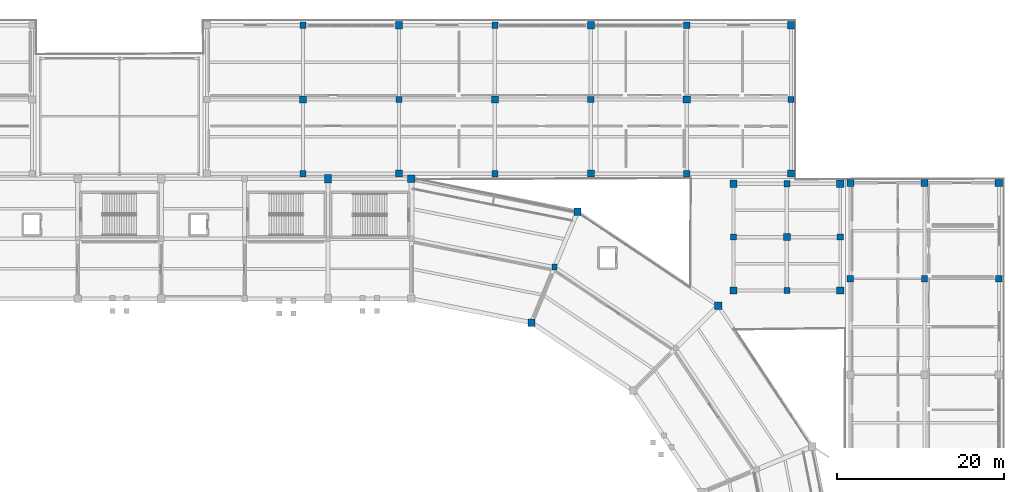
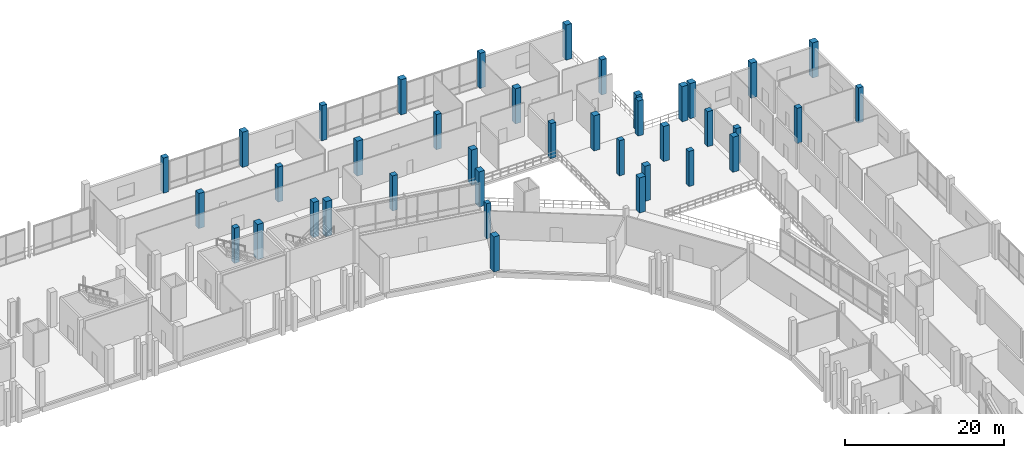
# One storey, part 10 of 114: 39 columns.
"""IFC4 building model written with IfcOpenShell, lengths in metres."""

from ifc_helpers import new_model, si_unit, direction, frame, origin, origin_2d, place, context, subcontext, project, spatial, rectangle, extrude, material, material_profile, profile_set, type_object, element, save


model = new_model("IFC4")

# Units and contexts
model_context = context("Model", 3, precision=1e-05, world=origin(), true_north=direction((0.0, 1.0)))
body_context = subcontext(model_context, "Body", "Model", "MODEL_VIEW")
ifc_project = project(units=[si_unit("LENGTHUNIT", "METRE"), si_unit("AREAUNIT", "SQUARE_METRE"), si_unit("VOLUMEUNIT", "CUBIC_METRE"), si_unit("PLANEANGLEUNIT", "RADIAN"), si_unit("MASSUNIT", "GRAM", prefix="KILO")], contexts=[model_context])

# Site, building, storey
site_placement = place(None, origin())
site = spatial("IfcSite", under=ifc_project, at=site_placement, CompositionType="ELEMENT")
building_placement = place(site_placement, origin())
building = spatial("IfcBuilding", under=site, at=building_placement, Name="Candeia Ridge Stadium", CompositionType="ELEMENT")
storey_placement = place(building_placement, frame((0.0, 0.0, 5.39990234375)))
storey = spatial("IfcBuildingStorey", under=building, at=storey_placement, Name="L01", CompositionType="ELEMENT", Elevation=5.39990234375)

# Columns
ifc_material_1 = material(Name="Concrete C45/55", Category="concrete")
ifc_material_profile_1 = material_profile(ifc_material_1, rectangle(XDim=0.89990234375, YDim=0.89990234375, at=origin_2d()), Name="RC900x900", Category="concrete")
ifc_profile_set_1 = profile_set([ifc_material_profile_1], Name="Concrete C45/55")
column_type_1 = type_object("IfcColumnType", Name="Bowl Spine Column RC900x900", PredefinedType="COLUMN", material=ifc_profile_set_1)
for number, where, z_axis, x_axis, name in (
    (1, (141.0, 147.0, 0.0), (0.0, 0.0, 1.0), (1.0, 0.0, 0.0), "Structural column BC-OU-00 L01"),
    (2, (177.76953125, 131.76953125, 0.0), (0.0, 0.0, 1.0), (1.0, 0.0, 0.0), "Structural column BC-OU-34 L01"),
):
    element("IfcColumn", number, at=place(storey_placement, frame(where, z_axis=z_axis, x_axis=x_axis)), inside=storey, type_object=column_type_1, Name=name, PredefinedType="COLUMN", context=body_context, shape_type="SweptSolid", body=[
        extrude(rectangle(XDim=0.89990234375, YDim=0.89990234375, at=origin_2d()), origin(), (0.0, 0.0, 1.0), 5.400146484375),
    ])
ifc_material_2 = material(Name="Concrete C40/50", Category="concrete")
ifc_material_profile_2 = material_profile(ifc_material_2, rectangle(XDim=0.6201171875, YDim=0.719970703125, at=origin_2d()), Name="RC620x720", Category="concrete")
ifc_profile_set_2 = profile_set([ifc_material_profile_2], Name="Concrete C40/50")
column_type_2 = type_object("IfcColumnType", Name="Graduated Frame Column RC620x720", PredefinedType="COLUMN", material=ifc_profile_set_2)
column_1_placement = place(storey_placement, frame((158.144287109375, 136.389892578125, 0.0), z_axis=(0.0, 0.0, 1.0), x_axis=(1.0, 0.0, 0.0)))
element("IfcColumn", 3, at=column_1_placement, inside=storey, type_object=column_type_2, Name="Structural column BC-M2-35 L01", PredefinedType="COLUMN", context=body_context, shape_type="SweptSolid", body=[
    extrude(rectangle(XDim=0.6201171875, YDim=0.719970703125, at=origin_2d()), origin(), (0.0, 0.0, 1.0), 5.400146484375),
])
ifc_material_profile_3 = material_profile(ifc_material_1, rectangle(XDim=0.820068359375, YDim=0.949951171875, at=origin_2d()), Name="RC820x950", Category="concrete")
ifc_profile_set_3 = profile_set([ifc_material_profile_3], Name="Concrete C45/55")
column_type_3 = type_object("IfcColumnType", Name="Graduated Frame Column RC820x950", PredefinedType="COLUMN", material=ifc_profile_set_3)
for number, where, z_axis, x_axis, name in (
    (4, (155.388916015625, 129.73779296875, 0.0), (0.0, 0.0, 1.0), (1.0, 0.0, 0.0), "Structural column BC-MD-35 L01"),
    (5, (160.899658203125, 143.041748046875, 0.0), (0.0, 0.0, 1.0), (1.0, 0.0, 0.0), "Structural column BC-OU-35 L01"),
):
    element("IfcColumn", number, at=place(storey_placement, frame(where, z_axis=z_axis, x_axis=x_axis)), inside=storey, type_object=column_type_3, Name=name, PredefinedType="COLUMN", context=body_context, shape_type="SweptSolid", body=[
        extrude(rectangle(XDim=0.820068359375, YDim=0.949951171875, at=origin_2d()), origin(), (0.0, 0.0, 1.0), 5.400146484375),
    ])
ifc_material_profile_4 = material_profile(ifc_material_2, rectangle(XDim=0.75, YDim=0.75, at=origin_2d()), Name="RC750x750", Category="concrete")
ifc_profile_set_4 = profile_set([ifc_material_profile_4], Name="Concrete C40/50")
column_type_4 = type_object("IfcColumnType", Name="Reinforced Concrete Column RC750x750", PredefinedType="COLUMN", material=ifc_profile_set_4)
for number, where, z_axis, x_axis, name in (
    (6, (193.60009765625, 135.0, 0.0), (0.0, 0.0, 1.0), (1.0, 0.0, 0.0), "Structural column EW-00-10 L01"),
    (7, (202.5, 135.0, 0.0), (0.0, 0.0, 1.0), (1.0, 0.0, 0.0), "Structural column EW-01-10 L01"),
    (8, (211.39990234375, 135.0, 0.0), (0.0, 0.0, 1.0), (1.0, 0.0, 0.0), "Structural column EW-02-10 L01"),
    (9, (128.0, 147.60009765625, 0.0), (0.0, 0.0, 1.0), (1.0, 0.0, 0.0), "Structural column NWE-01-00 L01"),
    (10, (128.0, 165.39990234375, 0.0), (0.0, 0.0, 1.0), (1.0, 0.0, 0.0), "Structural column NWE-01-02 L01"),
    (11, (139.5, 156.5, 0.0), (0.0, 0.0, 1.0), (1.0, 0.0, 0.0), "Structural column NWE-02-01 L01"),
    (12, (151.0, 147.60009765625, 0.0), (0.0, 0.0, 1.0), (1.0, 0.0, 0.0), "Structural column NWE-03-00 L01"),
    (13, (151.0, 165.39990234375, 0.0), (0.0, 0.0, 1.0), (1.0, 0.0, 0.0), "Structural column NWE-03-02 L01"),
    (14, (162.5, 156.5, 0.0), (0.0, 0.0, 1.0), (1.0, 0.0, 0.0), "Structural column NWE-04-01 L01"),
    (15, (174.0, 147.60009765625, 0.0), (0.0, 0.0, 1.0), (1.0, 0.0, 0.0), "Structural column NWE-05-00 L01"),
    (16, (174.0, 165.39990234375, 0.0), (0.0, 0.0, 1.0), (1.0, 0.0, 0.0), "Structural column NWE-05-02 L01"),
    (17, (186.5, 156.5, 0.0), (0.0, 0.0, 1.0), (1.0, 0.0, 0.0), "Structural column NWE-06-01 L01"),
    (18, (179.60009765625, 140.0, 0.0), (0.0, 0.0, 1.0), (1.0, 0.0, 0.0), "Structural column SPNE-00-01 L01"),
    (19, (186.0, 133.60009765625, 0.0), (0.0, 0.0, 1.0), (1.0, 0.0, 0.0), "Structural column SPNE-01-00 L01"),
    (20, (186.0, 146.39990234375, 0.0), (0.0, 0.0, 1.0), (1.0, 0.0, 0.0), "Structural column SPNE-01-02 L01"),
    (21, (192.39990234375, 140.0, 0.0), (0.0, 0.0, 1.0), (1.0, 0.0, 0.0), "Structural column SPNE-02-01 L01"),
):
    element("IfcColumn", number, at=place(storey_placement, frame(where, z_axis=z_axis, x_axis=x_axis)), inside=storey, type_object=column_type_4, Name=name, PredefinedType="COLUMN", context=body_context, shape_type="SweptSolid", body=[
        extrude(rectangle(XDim=0.75, YDim=0.75, at=origin_2d()), origin(), (0.0, 0.0, 1.0), 5.400146484375),
    ])
ifc_material_profile_5 = material_profile(ifc_material_1, rectangle(XDim=0.85009765625, YDim=1.0, at=origin_2d()), Name="RC850x1000", Category="concrete")
ifc_profile_set_5 = profile_set([ifc_material_profile_5], Name="Concrete C45/55")
column_type_5 = type_object("IfcColumnType", Name="Reinforced Concrete Column RC850x1000", PredefinedType="COLUMN", material=ifc_profile_set_5)
column_2_placement = place(storey_placement, frame((131.0, 147.0, 0.0), z_axis=(0.0, 0.0, 1.0), x_axis=(1.0, 0.0, 0.0)))
element("IfcColumn", 22, at=column_2_placement, inside=storey, type_object=column_type_5, Name="Structural column BC-OU-01 L01", PredefinedType="COLUMN", context=body_context, shape_type="SweptSolid", body=[
    extrude(rectangle(XDim=0.85009765625, YDim=1.0, at=origin_2d()), origin(), (0.0, 0.0, 1.0), 5.400146484375),
])
ifc_material_profile_6 = material_profile(ifc_material_1, rectangle(XDim=0.85009765625, YDim=0.85009765625, at=origin_2d()), Name="RC850x850", Category="concrete")
ifc_profile_set_6 = profile_set([ifc_material_profile_6], Name="Concrete C45/55")
column_type_6 = type_object("IfcColumnType", Name="Reinforced Concrete Column RC850x850", PredefinedType="COLUMN", material=ifc_profile_set_6)
for number, where, z_axis, x_axis, name in (
    (23, (193.60009765625, 146.5, 0.0), (0.0, 0.0, 1.0), (1.0, 0.0, 0.0), "Structural column EW-00-11 L01"),
    (24, (202.5, 146.5, 0.0), (0.0, 0.0, 1.0), (1.0, 0.0, 0.0), "Structural column EW-01-11 L01"),
    (25, (211.39990234375, 146.5, 0.0), (0.0, 0.0, 1.0), (1.0, 0.0, 0.0), "Structural column EW-02-11 L01"),
    (26, (128.0, 156.5, 0.0), (0.0, 0.0, 1.0), (1.0, 0.0, 0.0), "Structural column NWE-01-01 L01"),
    (27, (139.5, 147.60009765625, 0.0), (0.0, 0.0, 1.0), (1.0, 0.0, 0.0), "Structural column NWE-02-00 L01"),
    (28, (139.5, 165.39990234375, 0.0), (0.0, 0.0, 1.0), (1.0, 0.0, 0.0), "Structural column NWE-02-02 L01"),
    (29, (151.0, 156.5, 0.0), (0.0, 0.0, 1.0), (1.0, 0.0, 0.0), "Structural column NWE-03-01 L01"),
    (30, (162.5, 147.60009765625, 0.0), (0.0, 0.0, 1.0), (1.0, 0.0, 0.0), "Structural column NWE-04-00 L01"),
    (31, (162.5, 165.39990234375, 0.0), (0.0, 0.0, 1.0), (1.0, 0.0, 0.0), "Structural column NWE-04-02 L01"),
    (32, (174.0, 156.5, 0.0), (0.0, 0.0, 1.0), (1.0, 0.0, 0.0), "Structural column NWE-05-01 L01"),
    (33, (186.5, 147.60009765625, 0.0), (0.0, 0.0, 1.0), (1.0, 0.0, 0.0), "Structural column NWE-06-00 L01"),
    (34, (186.5, 165.39990234375, 0.0), (0.0, 0.0, 1.0), (1.0, 0.0, 0.0), "Structural column NWE-06-02 L01"),
    (35, (179.60009765625, 133.60009765625, 0.0), (0.0, 0.0, 1.0), (1.0, 0.0, 0.0), "Structural column SPNE-00-00 L01"),
    (36, (179.60009765625, 146.39990234375, 0.0), (0.0, 0.0, 1.0), (1.0, 0.0, 0.0), "Structural column SPNE-00-02 L01"),
    (37, (186.0, 140.0, 0.0), (0.0, 0.0, 1.0), (1.0, 0.0, 0.0), "Structural column SPNE-01-01 L01"),
    (38, (192.39990234375, 133.60009765625, 0.0), (0.0, 0.0, 1.0), (1.0, 0.0, 0.0), "Structural column SPNE-02-00 L01"),
    (39, (192.39990234375, 146.39990234375, 0.0), (0.0, 0.0, 1.0), (1.0, 0.0, 0.0), "Structural column SPNE-02-02 L01"),
):
    element("IfcColumn", number, at=place(storey_placement, frame(where, z_axis=z_axis, x_axis=x_axis)), inside=storey, type_object=column_type_6, Name=name, PredefinedType="COLUMN", context=body_context, shape_type="SweptSolid", body=[
        extrude(rectangle(XDim=0.85009765625, YDim=0.85009765625, at=origin_2d()), origin(), (0.0, 0.0, 1.0), 5.400146484375),
    ])

save(model, "model.ifc")
